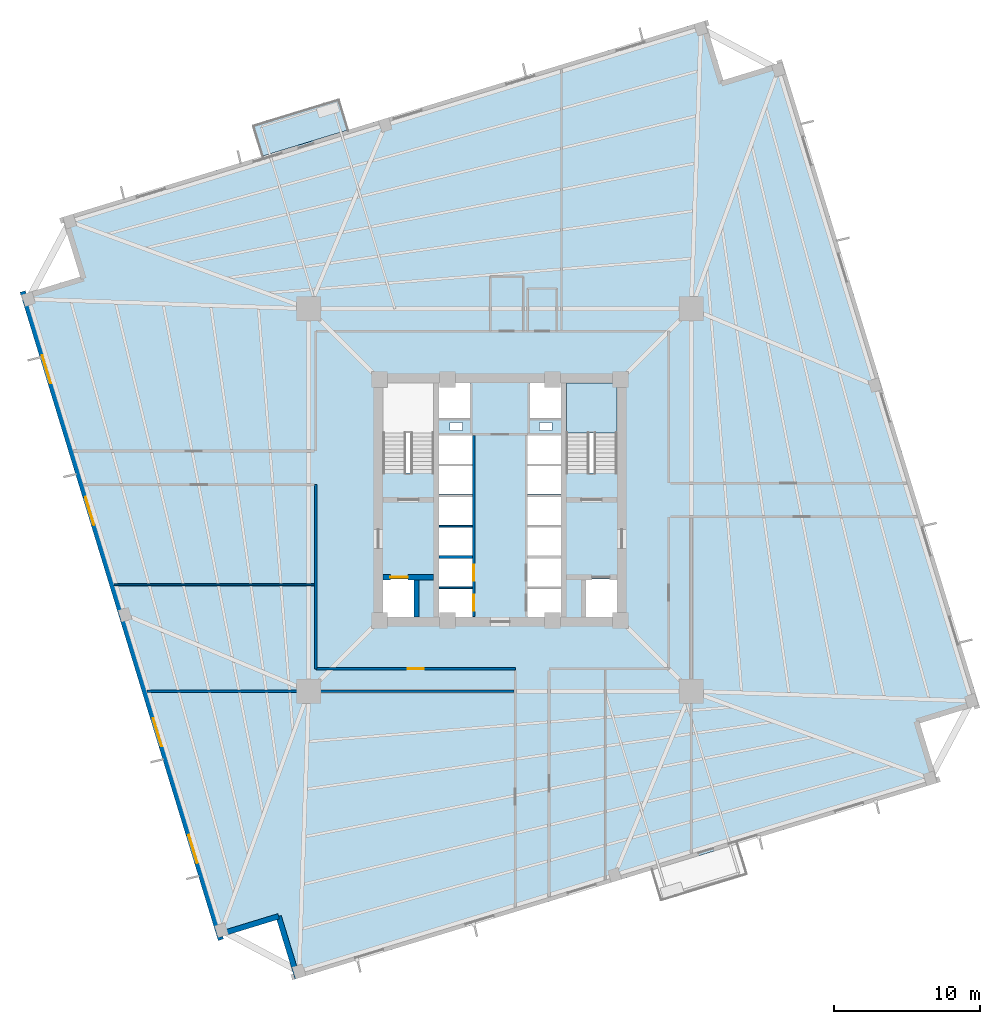
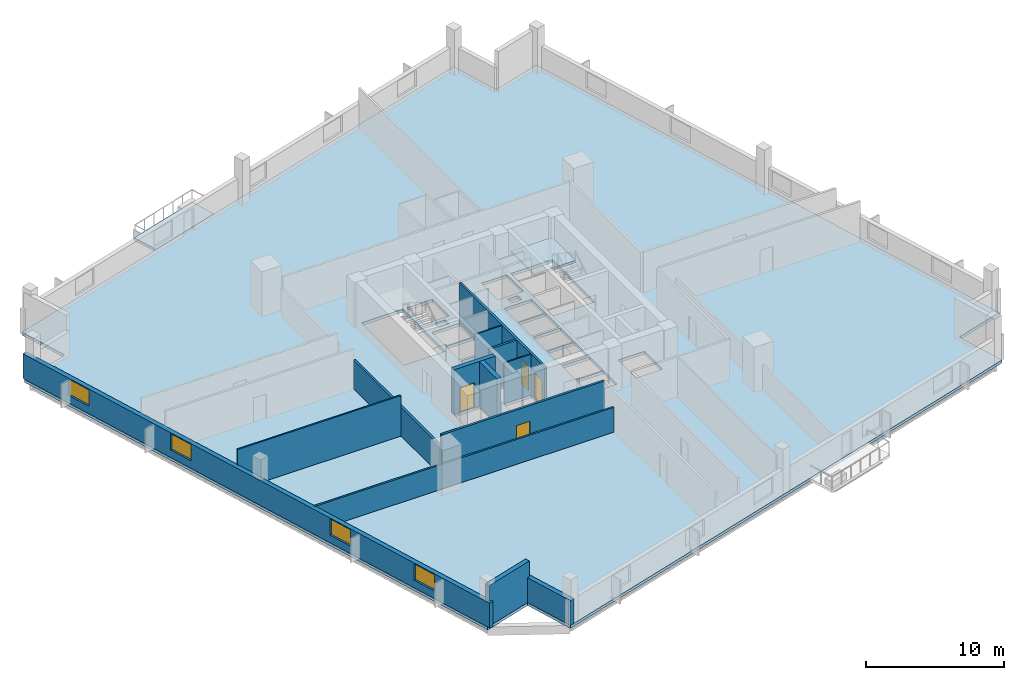
# One storey, part 2 of 8: 13 walls, 4 doors, 4 windows, 3 slabs, 8 openings, 1 element without a shape of its own.
"""IFC4 building model written with IfcOpenShell, lengths in metres."""

from ifc_helpers import new_model, si_unit, direction, frame, frame_2d, origin, place, context, subcontext, project, spatial, polyline, rectangle, outline, extrude, source, transform, mapped, material, layer, layer_set, type_object, element, fill, aggregate, save


model = new_model("IFC4")

# Units and contexts
model_context = context("Model", 3, precision=1e-05, world=origin(), true_north=direction((0.0, 1.0)))
body_context = subcontext(model_context, "Body", "Model", "MODEL_VIEW")
ifc_project = project(units=[si_unit("LENGTHUNIT", "METRE"), si_unit("AREAUNIT", "SQUARE_METRE"), si_unit("VOLUMEUNIT", "CUBIC_METRE"), si_unit("PLANEANGLEUNIT", "RADIAN"), si_unit("MASSUNIT", "GRAM", prefix="KILO"), si_unit("THERMODYNAMICTEMPERATUREUNIT", "KELVIN")], contexts=[model_context])

# Site, building, storey
site_placement = place(None, origin())
site = spatial("IfcSite", under=ifc_project, at=site_placement, CompositionType="ELEMENT")
building_placement = place(site_placement, origin())
building = spatial("IfcBuilding", under=site, at=building_placement, Name="Kosmvard Interchange Tower", CompositionType="ELEMENT")
storey_placement = place(building_placement, frame((0.0, 0.0, 135.199951171875)))
storey = spatial("IfcBuildingStorey", under=building, at=storey_placement, Name="L32", CompositionType="ELEMENT", Elevation=135.199951171875)

# Slab
ifc_material_1 = material(Name="Concrete C50/60", Category="concrete")
ifc_layer_1 = layer(ifc_material_1, 0.260009765625, Name="Concrete C50/60")
ifc_layer_set_1 = layer_set([ifc_layer_1], Name="Concrete C50/60")
slab_type_1 = type_object("IfcSlabType", Name="Mid-Rise Office Composite Slab 260 C50/60", PredefinedType="FLOOR", material=ifc_layer_set_1)
slab_1_placement = place(storey_placement, frame((0.0, 0.0, -0.260009765625)))
element("IfcSlab", 1, at=slab_1_placement, inside=storey, type_object=slab_type_1, Name="L32 Structural Floor Slab", PredefinedType="FLOOR", context=body_context, shape_type="SweptSolid", body=[
    extrude(outline(polyline([(-14.02783203125, -32.783935546875), (29.962158203125, -19.334716796875), (28.719482421875, -15.2705078125), (32.783935546875, -14.02783203125), (19.334716796875, 29.962158203125), (15.2705078125, 28.719482421875), (14.02783203125, 32.783935546875), (-29.962158203125, 19.334716796875), (-28.719482421875, 15.2705078125), (-32.783935546875, 14.02783203125), (-19.334716796875, -29.962158203125), (-15.2705078125, -28.719482421875), (-14.02783203125, -32.783935546875)]), holes=[polyline([(-8.0, 1.8349609375), (-4.5400390625, 1.8349609375), (-4.5400390625, 8.0), (-8.0, 8.0), (-8.0, 1.8349609375)]), polyline([(4.5400390625, 1.8349609375), (8.0, 1.8349609375), (8.0, 8.0), (4.5400390625, 8.0), (4.5400390625, 1.8349609375)]), polyline([(-8.0, -8.0), (-5.800048828125, -8.0), (-5.800048828125, -5.39990234375), (-8.0, -5.39990234375), (-8.0, -8.0)]), polyline([(5.800048828125, -8.0), (8.0, -8.0), (8.0, -5.39990234375), (5.800048828125, -5.39990234375), (5.800048828125, -8.0)]), polyline([(-4.179931640625, -8.0), (-1.8798828125, -8.0), (-1.8798828125, -6.06005859375), (-4.179931640625, -6.06005859375), (-4.179931640625, -8.0)]), polyline([(-4.179931640625, -5.93994140625), (-1.8798828125, -5.93994140625), (-1.8798828125, -4.0), (-4.179931640625, -4.0), (-4.179931640625, -5.93994140625)]), polyline([(1.8798828125, -8.0), (4.179931640625, -8.0), (4.179931640625, -6.06005859375), (1.8798828125, -6.06005859375), (1.8798828125, -8.0)]), polyline([(1.8798828125, -5.93994140625), (4.179931640625, -5.93994140625), (4.179931640625, -4.0), (1.8798828125, -4.0), (1.8798828125, -5.93994140625)]), polyline([(-4.179931640625, -3.800048828125), (-1.8798828125, -3.800048828125), (-1.8798828125, -1.860107421875), (-4.179931640625, -1.860107421875), (-4.179931640625, -3.800048828125)]), polyline([(-4.179931640625, -1.739990234375), (-1.8798828125, -1.739990234375), (-1.8798828125, 0.199951171875), (-4.179931640625, 0.199951171875), (-4.179931640625, -1.739990234375)]), polyline([(1.8798828125, -3.800048828125), (4.179931640625, -3.800048828125), (4.179931640625, -1.860107421875), (1.8798828125, -1.860107421875), (1.8798828125, -3.800048828125)]), polyline([(1.8798828125, -1.739990234375), (4.179931640625, -1.739990234375), (4.179931640625, 0.199951171875), (1.8798828125, 0.199951171875), (1.8798828125, -1.739990234375)]), polyline([(-4.179931640625, 0.39990234375), (-1.8798828125, 0.39990234375), (-1.8798828125, 2.340087890625), (-4.179931640625, 2.340087890625), (-4.179931640625, 0.39990234375)]), polyline([(-4.179931640625, 2.4599609375), (-1.8798828125, 2.4599609375), (-1.8798828125, 4.39990234375), (-4.179931640625, 4.39990234375), (-4.179931640625, 2.4599609375)]), polyline([(1.8798828125, 0.39990234375), (4.179931640625, 0.39990234375), (4.179931640625, 2.340087890625), (1.8798828125, 2.340087890625), (1.8798828125, 0.39990234375)]), polyline([(1.8798828125, 2.4599609375), (4.179931640625, 2.4599609375), (4.179931640625, 4.39990234375), (1.8798828125, 4.39990234375), (1.8798828125, 2.4599609375)]), polyline([(-4.179931640625, 5.60009765625), (-2.0400390625, 5.60009765625), (-2.0400390625, 8.0), (-4.179931640625, 8.0), (-4.179931640625, 5.60009765625)]), polyline([(2.0400390625, 5.60009765625), (4.179931640625, 5.60009765625), (4.179931640625, 8.0), (2.0400390625, 8.0), (2.0400390625, 5.60009765625)]), polyline([(-3.4150390625, 4.739990234375), (-2.56494140625, 4.739990234375), (-2.56494140625, 5.2900390625), (-3.4150390625, 5.2900390625), (-3.4150390625, 4.739990234375)]), polyline([(2.715087890625, 4.739990234375), (3.56494140625, 4.739990234375), (3.56494140625, 5.2900390625), (2.715087890625, 5.2900390625), (2.715087890625, 4.739990234375)])]), origin(), (0.0, 0.0, 1.0), 0.260009765625),
])

# Stair, slab
stair_type = type_object("IfcStairType", Name="Dog-Leg Core Exit Stair H4000 C50/60", PredefinedType="HALF_TURN_STAIR", material=ifc_material_1)
stair_placement = place(storey_placement, origin())
stair = element("IfcStair", 2, at=stair_placement, inside=storey, type_object=stair_type, Name="L32 Protected Exit Stair ST-2", PredefinedType="HALF_TURN_STAIR")
ifc_layer_2 = layer(ifc_material_1, 0.199951171875, Name="Concrete C50/60")
ifc_layer_set_2 = layer_set([ifc_layer_2], Name="Concrete C50/60")
slab_type_2 = type_object("IfcSlabType", Name="Stair Half-Landing Slab 200 C50/60", PredefinedType="LANDING", material=ifc_layer_set_2)
slab_2_placement = place(storey_placement, frame((0.0, 0.0, 1.800048828125)))
slab_2 = element("IfcSlab", 3, at=slab_2_placement, type_object=slab_type_2, Name="ST-2 landing 1", PredefinedType="LANDING", context=body_context, shape_type="SweptSolid", body=[
    extrude(outline(polyline([(8.0, 4.60009765625), (8.0, 8.0), (4.5400390625, 8.0), (4.5400390625, 4.60009765625), (8.0, 4.60009765625)])), origin(), (0.0, 0.0, 1.0), 0.199951171875),
])
aggregate(stair, [slab_2])

# Slab
ifc_layer_3 = layer(ifc_material_1, 0.22998046875, Name="Concrete C50/60")
ifc_layer_set_3 = layer_set([ifc_layer_3], Name="Concrete C50/60")
slab_type_3 = type_object("IfcSlabType", Name="Tree-Planter Cantilever Balcony Slab 230 C50/60", PredefinedType="FLOOR", material=ifc_layer_set_3)
slab_3_placement = place(storey_placement, frame((0.0, 0.0, -0.22998046875)))
element("IfcSlab", 4, at=slab_3_placement, inside=storey, type_object=slab_type_3, Name="L32 Outdoor Terrace Balcony Slab BAL-L32-NE", PredefinedType="FLOOR", context=body_context, shape_type="SweptSolid", body=[
    extrude(outline(polyline([(-16.286865234375, 23.515625), (-10.35791015625, 25.328369140625), (-11.001220703125, 27.43212890625), (-16.93017578125, 25.61962890625), (-16.286865234375, 23.515625)])), origin(), (0.0, 0.0, 1.0), 0.22998046875),
])

# Wall
ifc_material_2 = material(Name="Acoustic gypsum partition system")
ifc_layer_4 = layer(ifc_material_2, 0.14990234375, Name="Acoustic gypsum partition system")
ifc_layer_set_4 = layer_set([ifc_layer_4], Name="Acoustic gypsum partition system")
wall_type_1 = type_object("IfcWallType", Name="Acoustic Suite & Meeting Partition 150", PredefinedType="PARTITIONING", material=ifc_layer_set_4)
wall_1_placement = place(storey_placement, frame((-24.16650390625, -13.0810546875, 0.0), z_axis=(0.0, 0.0, 1.0), x_axis=(1.0, 0.0, 0.0)))
element("IfcWall", 5, at=wall_1_placement, inside=storey, type_object=wall_type_1, Name="L32 Room Partition 04.1", PredefinedType="PARTITIONING", context=body_context, shape_type="SweptSolid", body=[
    extrude(rectangle(XDim=25.12158203125, YDim=0.14990234375, at=frame_2d((12.560791015625, 0.0))), origin(), (0.0, 0.0, 1.0), 2.199951171875),
])

# Wall, openings, doors
ifc_material_3 = material(Name="Fire-rated gypsum partition system")
ifc_layer_5 = layer(ifc_material_3, 0.179931640625, Name="Fire-rated gypsum partition system")
ifc_layer_set_5 = layer_set([ifc_layer_5], Name="Fire-rated gypsum partition system")
wall_type_2 = type_object("IfcWallType", Name="Corridor & Hotel Compartment Partition 180", PredefinedType="PARTITIONING", material=ifc_layer_set_5)
wall_2_placement = place(storey_placement, frame((-1.7900390625, -7.97998046875, 0.0), z_axis=(0.0, 0.0, 1.0), x_axis=(0.0, 1.0, 0.0)))
wall_2 = element("IfcWall", 6, at=wall_2_placement, inside=storey, type_object=wall_type_2, Name="L32 West Lift Bank Front Wall", PredefinedType="PARTITIONING", context=body_context, shape_type="SweptSolid", body=[
    extrude(rectangle(XDim=12.3798828125, YDim=0.179931640625, at=frame_2d((6.18994140625, 0.0))), origin(), (0.0, 0.0, 1.0), 3.60009765625),
])
opening_1_placement = place(wall_2_placement, frame((0.39990234375, 0.0, 0.0)))
opening_1 = element("IfcOpeningElement", 7, at=opening_1_placement, cuts=wall_2, Name="Opening LD-PL-L1-L32", PredefinedType="OPENING", context=body_context, shape_type="SweptSolid", body=[
    extrude(rectangle(XDim=1.10009765625, YDim=2.199951171875, at=frame_2d((0.550048828125, 1.10009765625))), frame((0.0, 0.10009765625, 0.0), z_axis=(0.0, -1.0, 0.0), x_axis=(1.0, 0.0, 0.0)), (0.0, 0.0, 1.0), 0.199951171875),
])
opening_2_placement = place(wall_2_placement, frame((2.4599609375, 0.0, 0.0)))
opening_2 = element("IfcOpeningElement", 8, at=opening_2_placement, cuts=wall_2, Name="Opening LD-PL-L2-L32", PredefinedType="OPENING", context=body_context, shape_type="SweptSolid", body=[
    extrude(rectangle(XDim=1.10009765625, YDim=2.199951171875, at=frame_2d((0.550048828125, 1.10009765625))), frame((0.0, 0.10009765625, 0.0), z_axis=(0.0, -1.0, 0.0), x_axis=(1.0, 0.0, 0.0)), (0.0, 0.0, 1.0), 0.199951171875),
])
ifc_material_4 = material(Name="Brushed stainless steel sliding leaf", Category="steel")
door_type_1 = type_object("IfcDoorType", Name="Passenger Lift Sliding Landing Door 1100x2200 EI60", OperationType="DOUBLE_DOOR_SLIDING", PredefinedType="DOOR", material=ifc_material_4)
shared_shape_1 = source(origin(), body_context, "Body", "SweptSolid", [
    extrude(rectangle(XDim=1.10009765625, YDim=2.199951171875, at=frame_2d((0.550048828125, 1.10009765625))), frame((0.0, 0.02490234375, 0.0), z_axis=(0.0, -1.0, 0.0), x_axis=(1.0, 0.0, 0.0)), (0.0, 0.0, 1.0), 0.050048828125),
])
door_1_placement = place(opening_1_placement, frame((1.10009765625, 0.0, 0.0), z_axis=(0.0, 0.0, 1.0), x_axis=(-1.0, 0.0, 0.0)))
door_1 = element("IfcDoor", 9, at=door_1_placement, inside=storey, type_object=door_type_1, Name="Lift PL-L1 Landing Door L32", OperationType="DOUBLE_DOOR_SLIDING", OverallHeight=2.199951171875, OverallWidth=1.10009765625, PredefinedType="DOOR", context=body_context, shape_type="MappedRepresentation", body=[
    mapped(shared_shape_1, transform((0.0, 0.0, 0.0), scale=1.0)),
])
fill(opening_1, door_1)
door_2_placement = place(opening_2_placement, frame((1.10009765625, 0.0, 0.0), z_axis=(0.0, 0.0, 1.0), x_axis=(-1.0, 0.0, 0.0)))
door_2 = element("IfcDoor", 10, at=door_2_placement, inside=storey, type_object=door_type_1, Name="Lift PL-L2 Landing Door L32", OperationType="DOUBLE_DOOR_SLIDING", OverallHeight=2.199951171875, OverallWidth=1.10009765625, PredefinedType="DOOR", context=body_context, shape_type="MappedRepresentation", body=[
    mapped(shared_shape_1, transform((0.0, 0.0, 0.0), scale=1.0)),
])
fill(opening_2, door_2)

# Wall, opening, door
wall_3_placement = place(storey_placement, frame((-12.60009765625, -11.550048828125, 0.0), z_axis=(0.0, 0.0, 1.0), x_axis=(1.0, 0.0, 0.0)))
wall_3 = element("IfcWall", 11, at=wall_3_placement, inside=storey, type_object=wall_type_2, Name="L32 Corridor Wall CSW", PredefinedType="PARTITIONING", context=body_context, shape_type="SweptSolid", body=[
    extrude(rectangle(XDim=13.650146484375, YDim=0.179931640625, at=frame_2d((6.8251953125, 0.0))), origin(), (0.0, 0.0, 1.0), 3.60009765625),
])
opening_3_placement = place(wall_3_placement, frame((6.27490234375, 0.0, 0.0)))
opening_3 = element("IfcOpeningElement", 12, at=opening_3_placement, cuts=wall_3, Name="Opening L32-D09", PredefinedType="OPENING", context=body_context, shape_type="SweptSolid", body=[
    extrude(rectangle(XDim=1.10009765625, YDim=2.199951171875, at=frame_2d((0.550048828125, 1.10009765625))), frame((0.0, 0.10009765625, 0.0), z_axis=(0.0, -1.0, 0.0), x_axis=(1.0, 0.0, 0.0)), (0.0, 0.0, 1.0), 0.199951171875),
])
ifc_material_5 = material(Name="Engineered oak fire-rated timber", Category="wood")
door_type_2 = type_object("IfcDoorType", Name="Office Suite Entrance Door 1100x2200 FD30S", OperationType="NOTDEFINED", PredefinedType="DOOR", material=ifc_material_5)
door_3_placement = place(opening_3_placement, frame((1.10009765625, 0.0, 0.0), z_axis=(0.0, 0.0, 1.0), x_axis=(-1.0, 0.0, 0.0)))
door_3 = element("IfcDoor", 13, at=door_3_placement, inside=storey, type_object=door_type_2, Name="L32 Executive Reading Lounge Door", OperationType="SINGLE_SWING_LEFT", OverallHeight=2.199951171875, OverallWidth=1.10009765625, PredefinedType="DOOR", context=body_context, shape_type="MappedRepresentation", body=[
    mapped(shared_shape_1, transform((0.0, 0.0, 0.0), scale=1.0)),
])
fill(opening_3, door_3)

# Wall
wall_4_placement = place(storey_placement, frame((-12.60009765625, -11.550048828125, 0.0), z_axis=(0.0, 0.0, 1.0), x_axis=(0.0, 1.0, 0.0)))
element("IfcWall", 14, at=wall_4_placement, inside=storey, type_object=wall_type_2, Name="L32 Corridor Wall CWS", PredefinedType="PARTITIONING", context=body_context, shape_type="SweptSolid", body=[
    extrude(rectangle(XDim=12.60009765625, YDim=0.179931640625, at=frame_2d((6.300048828125, 0.0))), origin(), (0.0, 0.0, 1.0), 2.56005859375),
])

# Wall, openings, windows
ifc_material_6 = material(Name="Precast concrete C45/55", Category="concrete")
ifc_layer_6 = layer(ifc_material_6, 0.3798828125, Name="Precast concrete C45/55")
ifc_layer_set_6 = layer_set([ifc_layer_6], Name="Precast concrete C45/55")
wall_type_3 = type_object("IfcWallType", Name="Lower Tower Precast Pier Wall 380 C45/55", PredefinedType="STANDARD", material=ifc_layer_set_6)
wall_5_placement = place(storey_placement, frame((-32.65771484375, 14.26513671875, 0.0), z_axis=(0.0, 0.0, 1.0), x_axis=(0.292373127906, -0.956304320851, 0.0)))
wall_5 = element("IfcWall", 15, at=wall_5_placement, inside=storey, type_object=wall_type_3, Name="L32 Precast Facade Wall F-W", PredefinedType="STANDARD", context=body_context, shape_type="SweptSolid", body=[
    extrude(rectangle(XDim=46.380126953125, YDim=0.3798828125, at=frame_2d((23.18994140625, 0.0))), origin(), (0.0, 0.0, 1.0), 2.199951171875),
])
opening_4_placement = place(wall_5_placement, frame((4.565673828125, 0.0, 0.669921875)))
opening_4 = element("IfcOpeningElement", 16, at=opening_4_placement, cuts=wall_5, Name="Opening L32-W16", PredefinedType="OPENING", context=body_context, shape_type="SweptSolid", body=[
    extrude(rectangle(XDim=2.0, YDim=1.449951171875, at=frame_2d((1.0, 0.72509765625))), frame((0.0, 0.199951171875, 0.0), z_axis=(0.0, -1.0, 0.0), x_axis=(1.0, 0.0, 0.0)), (0.0, 0.0, 1.0), 0.39990234375),
])
opening_5_placement = place(wall_5_placement, frame((14.7001953125, 0.0, 0.669921875)))
opening_5 = element("IfcOpeningElement", 17, at=opening_5_placement, cuts=wall_5, Name="Opening L32-W17", PredefinedType="OPENING", context=body_context, shape_type="SweptSolid", body=[
    extrude(rectangle(XDim=2.0, YDim=1.449951171875, at=frame_2d((1.0, 0.72509765625))), frame((0.0, 0.199951171875, 0.0), z_axis=(0.0, -1.0, 0.0), x_axis=(1.0, 0.0, 0.0)), (0.0, 0.0, 1.0), 0.39990234375),
])
opening_6_placement = place(wall_5_placement, frame((30.538330078125, 0.0, 0.669921875)))
opening_6 = element("IfcOpeningElement", 18, at=opening_6_placement, cuts=wall_5, Name="Opening L32-W18", PredefinedType="OPENING", context=body_context, shape_type="SweptSolid", body=[
    extrude(rectangle(XDim=2.0, YDim=1.449951171875, at=frame_2d((1.0, 0.72509765625))), frame((0.0, 0.199951171875, 0.0), z_axis=(0.0, -1.0, 0.0), x_axis=(1.0, 0.0, 0.0)), (0.0, 0.0, 1.0), 0.39990234375),
])
opening_7_placement = place(wall_5_placement, frame((38.88671875, 0.0, 0.669921875)))
opening_7 = element("IfcOpeningElement", 19, at=opening_7_placement, cuts=wall_5, Name="Opening L32-W19", PredefinedType="OPENING", context=body_context, shape_type="SweptSolid", body=[
    extrude(rectangle(XDim=2.0, YDim=1.449951171875, at=frame_2d((1.0, 0.72509765625))), frame((0.0, 0.199951171875, 0.0), z_axis=(0.0, -1.0, 0.0), x_axis=(1.0, 0.0, 0.0)), (0.0, 0.0, 1.0), 0.39990234375),
])
ifc_material_7 = material(Name="Low-E solar-control double glazing", Category="glass")
window_type = type_object("IfcWindowType", Name="Transfer Zone Punched Window 2000x1450", PartitioningType="SINGLE_PANEL", PredefinedType="WINDOW", material=ifc_material_7)
shared_shape_2 = source(origin(), body_context, "Body", "SweptSolid", [
    extrude(rectangle(XDim=2.0, YDim=1.449951171875, at=frame_2d((1.0, 0.72509765625))), frame((0.0, 0.030029296875, 0.0), z_axis=(0.0, -1.0, 0.0), x_axis=(1.0, 0.0, 0.0)), (0.0, 0.0, 1.0), 0.06005859375),
])
window_1_placement = place(opening_4_placement, origin())
window_1 = element("IfcWindow", 20, at=window_1_placement, inside=storey, type_object=window_type, Name="L32 Facade Punched Window 16", OverallHeight=1.449951171875, OverallWidth=2.0, PartitioningType="SINGLE_PANEL", PredefinedType="WINDOW", context=body_context, shape_type="MappedRepresentation", body=[
    mapped(shared_shape_2, transform((0.0, 0.0, 0.0), scale=1.0)),
])
fill(opening_4, window_1)
window_2_placement = place(opening_5_placement, origin())
window_2 = element("IfcWindow", 21, at=window_2_placement, inside=storey, type_object=window_type, Name="L32 Facade Punched Window 17", OverallHeight=1.449951171875, OverallWidth=2.0, PartitioningType="SINGLE_PANEL", PredefinedType="WINDOW", context=body_context, shape_type="MappedRepresentation", body=[
    mapped(shared_shape_2, transform((0.0, 0.0, 0.0), scale=1.0)),
])
fill(opening_5, window_2)
window_3_placement = place(opening_6_placement, origin())
window_3 = element("IfcWindow", 22, at=window_3_placement, inside=storey, type_object=window_type, Name="L32 Facade Punched Window 18", OverallHeight=1.449951171875, OverallWidth=2.0, PartitioningType="SINGLE_PANEL", PredefinedType="WINDOW", context=body_context, shape_type="MappedRepresentation", body=[
    mapped(shared_shape_2, transform((0.0, 0.0, 0.0), scale=1.0)),
])
fill(opening_6, window_3)
window_4_placement = place(opening_7_placement, origin())
window_4 = element("IfcWindow", 23, at=window_4_placement, inside=storey, type_object=window_type, Name="L32 Facade Punched Window 19", OverallHeight=1.449951171875, OverallWidth=2.0, PartitioningType="SINGLE_PANEL", PredefinedType="WINDOW", context=body_context, shape_type="MappedRepresentation", body=[
    mapped(shared_shape_2, transform((0.0, 0.0, 0.0), scale=1.0)),
])
fill(opening_7, window_4)

# Walls
wall_6_placement = place(storey_placement, frame((-19.20849609375, -29.724853515625, 0.0), z_axis=(0.0, 0.0, 1.0), x_axis=(0.956312764915, 0.292345507338, 0.0)))
element("IfcWall", 24, at=wall_6_placement, inside=storey, type_object=wall_type_3, Name="L32 Precast Facade Wall N-SW1", PredefinedType="STANDARD", context=body_context, shape_type="SweptSolid", body=[
    extrude(rectangle(XDim=4.249755859375, YDim=0.3798828125, at=frame_2d((2.125, 0.0))), origin(), (0.0, 0.0, 1.0), 3.60009765625),
])
wall_7_placement = place(storey_placement, frame((-15.144287109375, -28.482421875, 0.0), z_axis=(0.0, 0.0, 1.0), x_axis=(0.292373601522, -0.956304176051, 0.0)))
element("IfcWall", 25, at=wall_7_placement, inside=storey, type_object=wall_type_3, Name="L32 Precast Facade Wall N-SW2", PredefinedType="STANDARD", context=body_context, shape_type="SweptSolid", body=[
    extrude(rectangle(XDim=4.43994140625, YDim=0.3798828125, at=frame_2d((2.219970703125, 0.0))), origin(), (0.0, 0.0, 1.0), 2.199951171875),
])
ifc_material_8 = material(Name="Gypsum board partition system")
ifc_layer_7 = layer(ifc_material_8, 0.1201171875, Name="Gypsum board partition system")
ifc_layer_set_7 = layer_set([ifc_layer_7], Name="Gypsum board partition system")
wall_type_4 = type_object("IfcWallType", Name="Office Cellular Partition 120", PredefinedType="PARTITIONING", material=ifc_layer_set_7)
wall_8_placement = place(storey_placement, frame((-26.392578125, -5.800048828125, 0.0), z_axis=(0.0, 0.0, 1.0), x_axis=(1.0, 0.0, 0.0)))
element("IfcWall", 26, at=wall_8_placement, inside=storey, type_object=wall_type_4, Name="L32 Room Partition 05.1", PredefinedType="PARTITIONING", context=body_context, shape_type="SweptSolid", body=[
    extrude(rectangle(XDim=13.697509765625, YDim=0.1201171875, at=frame_2d((6.8486328125, 0.0))), origin(), (0.0, 0.0, 1.0), 3.60009765625),
])
ifc_material_9 = material(Name="Concrete blockwork masonry", Category="masonry")
ifc_layer_8 = layer(ifc_material_9, 0.179931640625, Name="Concrete blockwork masonry")
ifc_layer_set_8 = layer_set([ifc_layer_8], Name="Concrete blockwork masonry")
wall_type_5 = type_object("IfcWallType", Name="Riser & Lift Bank Divider Wall 180", PredefinedType="PARTITIONING", material=ifc_layer_set_8)
wall_9_placement = place(storey_placement, frame((-4.169921875, -3.89990234375, 0.0), z_axis=(0.0, 0.0, 1.0), x_axis=(1.0, 0.0, 0.0)))
element("IfcWall", 27, at=wall_9_placement, inside=storey, type_object=wall_type_5, Name="L32 West Bank Divider BD1", PredefinedType="PARTITIONING", context=body_context, shape_type="SweptSolid", body=[
    extrude(rectangle(XDim=2.280029296875, YDim=0.179931640625, at=frame_2d((1.14013671875, 0.0))), origin(), (0.0, 0.0, 1.0), 3.60009765625),
])
ifc_material_10 = material(Name="Fire-rated gypsum shaftwall system")
ifc_layer_9 = layer(ifc_material_10, 0.1201171875, Name="Fire-rated gypsum shaftwall system")
ifc_layer_set_9 = layer_set([ifc_layer_9], Name="Fire-rated gypsum shaftwall system")
wall_type_6 = type_object("IfcWallType", Name="Shaft & Riser Fire Partition 120 EI60", PredefinedType="PARTITIONING", material=ifc_layer_set_9)
for number, where, z_axis, x_axis, name in (
    (28, (-4.159912109375, -6.0, 0.0), (0.0, 0.0, 1.0), (1.0, 0.0, 0.0), "L32 Shaft Divider PL-L1"),
    (29, (-4.159912109375, -1.800048828125, 0.0), (0.0, 0.0, 1.0), (1.0, 0.0, 0.0), "L32 Shaft Divider PL-M1"),
):
    element("IfcWall", number, at=place(storey_placement, frame(where, z_axis=z_axis, x_axis=x_axis)), inside=storey, type_object=wall_type_6, Name=name, PredefinedType="PARTITIONING", context=body_context, shape_type="SweptSolid", body=[
        extrude(rectangle(XDim=2.260009765625, YDim=0.1201171875, at=frame_2d((1.1298828125, 0.0))), origin(), (0.0, 0.0, 1.0), 3.60009765625),
    ])

# Wall, opening, door
ifc_material_11 = material(Name="Concrete C60/75", Category="concrete")
ifc_layer_10 = layer(ifc_material_11, 0.360107421875, Name="Concrete C60/75")
ifc_layer_set_10 = layer_set([ifc_layer_10], Name="Concrete C60/75")
wall_type_7 = type_object("IfcWallType", Name="Stair & Lift Shaft Shear Wall 360 C60/75", PredefinedType="SHEAR", material=ifc_layer_set_10)
wall_10_placement = place(storey_placement, frame((-8.0, -5.280029296875, 0.0), z_axis=(0.0, 0.0, 1.0), x_axis=(1.0, 0.0, 0.0)))
wall_10 = element("IfcWall", 30, at=wall_10_placement, inside=storey, type_object=wall_type_7, Name="L32 Shaft Shear Wall SW-FF1", PredefinedType="SHEAR", context=body_context, shape_type="SweptSolid", body=[
    extrude(rectangle(XDim=3.4599609375, YDim=0.360107421875, at=frame_2d((1.72998046875, 0.0))), origin(), (0.0, 0.0, 1.0), 4.0),
])
opening_8_placement = place(wall_10_placement, frame((0.5, 0.0, 0.0)))
opening_8 = element("IfcOpeningElement", 31, at=opening_8_placement, cuts=wall_10, Name="Opening LD-FF-1-L32", PredefinedType="OPENING", context=body_context, shape_type="SweptSolid", body=[
    extrude(rectangle(XDim=1.199951171875, YDim=2.25, at=frame_2d((0.60009765625, 1.125))), frame((0.0, 0.18994140625, 0.0), z_axis=(0.0, -1.0, 0.0), x_axis=(1.0, 0.0, 0.0)), (0.0, 0.0, 1.0), 0.380126953125),
])
door_type_3 = type_object("IfcDoorType", Name="Firefighting Lift Sliding Landing Door 1200x2250 EI120", OperationType="DOUBLE_DOOR_SLIDING", PredefinedType="DOOR", material=ifc_material_4)
shared_shape_3 = source(origin(), body_context, "Body", "SweptSolid", [
    extrude(rectangle(XDim=1.199951171875, YDim=2.25, at=frame_2d((0.60009765625, 1.125))), frame((0.0, 0.02490234375, 0.0), z_axis=(0.0, -1.0, 0.0), x_axis=(1.0, 0.0, 0.0)), (0.0, 0.0, 1.0), 0.050048828125),
])
door_4_placement = place(opening_8_placement, origin())
door_4 = element("IfcDoor", 32, at=door_4_placement, inside=storey, type_object=door_type_3, Name="Lift FF-1 Landing Door L32", OperationType="DOUBLE_DOOR_SLIDING", OverallHeight=2.25, OverallWidth=1.199951171875, PredefinedType="DOOR", context=body_context, shape_type="MappedRepresentation", body=[
    mapped(shared_shape_3, transform((0.0, 0.0, 0.0), scale=1.0)),
])
fill(opening_8, door_4)

# Wall
wall_11_placement = place(storey_placement, frame((-5.7099609375, -8.0, 0.0), z_axis=(0.0, 0.0, 1.0), x_axis=(0.0, 1.0, 0.0)))
element("IfcWall", 33, at=wall_11_placement, inside=storey, type_object=wall_type_7, Name="L32 Shaft Shear Wall SW-SM1", PredefinedType="SHEAR", context=body_context, shape_type="SweptSolid", body=[
    extrude(rectangle(XDim=2.5400390625, YDim=0.360107421875, at=frame_2d((1.27001953125, 0.0))), origin(), (0.0, 0.0, 1.0), 4.0),
])

save(model, "model.ifc")
